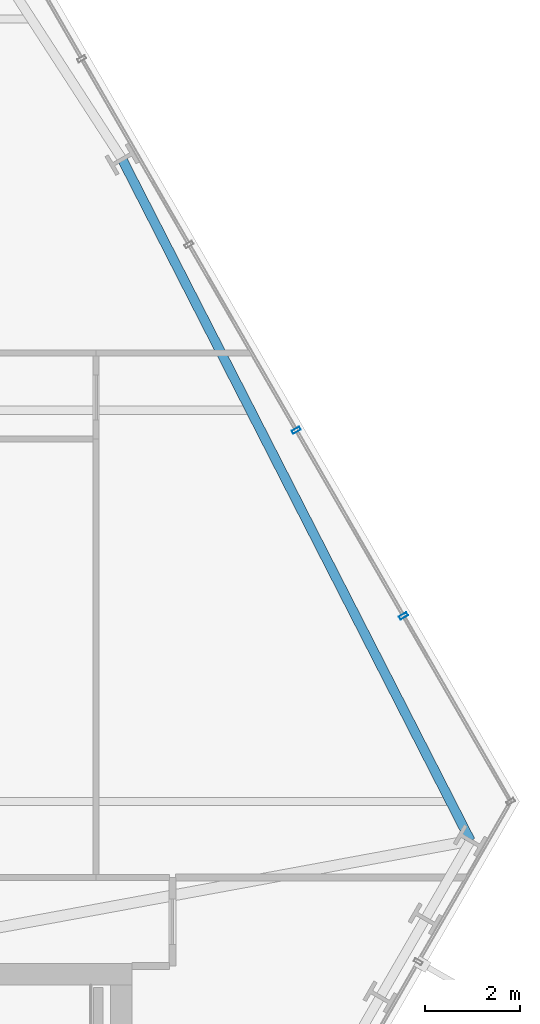
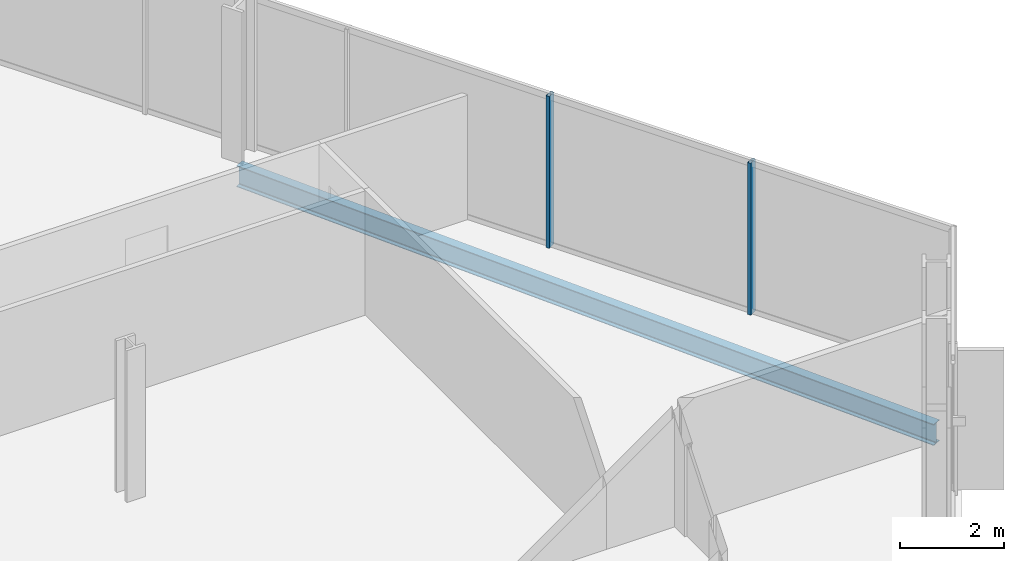
# One storey, part 18 of 32: 2 members, 1 beam, 1 element without a shape of its own.
"""IFC4 building model written with IfcOpenShell, lengths in metres."""

import ifcopenshell
import ifcopenshell.guid

model = None  # the IFC model being written
_history = None  # IfcOwnerHistory: only IFC2X3 demands one
_inside = {}  # id of a spatial element -> (the spatial element, [elements in it])
_under = {}  # id of a project, library or spatial element -> (it, [spatial elements below it])
_declared = {}  # id of a project -> (the project, [libraries it declares])
_typed = {}  # id of a type object -> (the type object, [elements of that type])
_made_of = {}  # id of a material, layer set ... -> (it, [elements and type objects made of it])


def new_model(schema):
    """Start an empty IFC model of exactly this schema.

    Asked for "IFC4X3", IfcOpenShell would pick the latest addendum, in which some entities
    have other attributes; the version numbers below select the first issue.
    IFC2X3 requires an IfcOwnerHistory on every rooted entity: one is made here for all.
    """
    global model, _history
    if schema == "IFC4X3":
        model = ifcopenshell.file(schema_version=(4, 3, 0, 0))
    else:
        model = ifcopenshell.file(schema=schema)
    _inside.clear()
    _under.clear()
    _declared.clear()
    _typed.clear()
    _made_of.clear()
    _history = None
    if model.schema == "IFC2X3":
        org = make("IfcOrganization", Name="unknown")
        user = make(
            "IfcPersonAndOrganization",
            ThePerson=make("IfcPerson", FamilyName="unknown"),
            TheOrganization=org,
        )
        app = make(
            "IfcApplication",
            ApplicationDeveloper=org,
            Version="unknown",
            ApplicationFullName="unknown",
            ApplicationIdentifier="unknown",
        )
        _history = make(
            "IfcOwnerHistory",
            OwningUser=user,
            OwningApplication=app,
            ChangeAction="ADDED",
            CreationDate=0,
        )
    return model


def make(cls, **values):
    """One entity of the class cls with the attributes given. An attribute that is None is left unset."""
    return model.create_entity(
        cls, **{name: value for name, value in values.items() if value is not None}
    )


def rooted(cls, **values):
    """An entity with a GlobalId (a new one), such as an element, a storey or a relation."""
    return make(cls, GlobalId=ifcopenshell.guid.new(), OwnerHistory=_history, **values)


def si_unit(unit_type, name, prefix=None):
    """IfcSIUnit, for example si_unit("LENGTHUNIT", "METRE", prefix="MILLI")."""
    return make("IfcSIUnit", UnitType=unit_type, Prefix=prefix, Name=name)


def assignment(units):
    """IfcUnitAssignment: the units of a project."""
    return None if units is None else make("IfcUnitAssignment", Units=units)


def point(xyz):
    """IfcCartesianPoint."""
    return None if xyz is None else make("IfcCartesianPoint", Coordinates=xyz)


def direction(xyz):
    """IfcDirection."""
    return None if xyz is None else make("IfcDirection", DirectionRatios=xyz)


def frame(location, z_axis=None, x_axis=None):
    """IfcAxis2Placement3D, a coordinate frame: its origin and axes. An axis left out is left unset."""
    return make(
        "IfcAxis2Placement3D",
        Location=point(location),
        Axis=direction(z_axis),
        RefDirection=direction(x_axis),
    )


def frame_2d(location, x_axis=None):
    """IfcAxis2Placement2D, a coordinate frame in the plane: its origin and x axis."""
    return make(
        "IfcAxis2Placement2D", Location=point(location), RefDirection=direction(x_axis)
    )


def origin():
    """The frame at (0, 0, 0) with its axes left unset."""
    return frame((0.0, 0.0, 0.0))


def origin_2d():
    """The frame at (0, 0) in the plane with its x axis left unset."""
    return frame_2d((0.0, 0.0))


def place(relative_to, where):
    """IfcLocalPlacement: puts the frame where relative to a parent placement (None: the world)."""
    return make(
        "IfcLocalPlacement", PlacementRelTo=relative_to, RelativePlacement=where
    )


def context(
    kind, dimensions, precision=None, world=None, true_north=None, identifier=None
):
    """IfcGeometricRepresentationContext, for example the 3D "Model" context."""
    return make(
        "IfcGeometricRepresentationContext",
        ContextIdentifier=identifier,
        ContextType=kind,
        CoordinateSpaceDimension=dimensions,
        Precision=precision,
        WorldCoordinateSystem=world,
        TrueNorth=true_north,
    )


def subcontext(parent, identifier, kind, view, scale=None):
    """IfcGeometricRepresentationSubContext, for example "Body" below "Model"."""
    return make(
        "IfcGeometricRepresentationSubContext",
        ContextIdentifier=identifier,
        ContextType=kind,
        ParentContext=parent,
        TargetScale=scale,
        TargetView=view,
    )


def project(units=None, contexts=None):
    """IfcProject with its units and contexts."""
    return rooted(
        "IfcProject",
        Name="project",
        RepresentationContexts=contexts,
        UnitsInContext=assignment(units),
    )


def spatial(cls, under=None, at=None, **own):
    """A site, building, storey or space (cls), placed at a placement, below another one or the project."""
    s = rooted(cls, ObjectPlacement=at, **own)
    if under is not None:
        _under.setdefault(under.id(), (under, []))[1].append(s)
    return s


def profile(cls, at=None, kind="AREA", **sizes):
    """A parametric profile (cls). Its sizes go by their IFC names, for example OverallWidth=200.0."""
    return make(cls, ProfileType=kind, Position=at, **sizes)


def hollow_rectangle(**sizes):
    """IfcRectangleHollowProfileDef."""
    return profile("IfcRectangleHollowProfileDef", **sizes)


def i_section(**sizes):
    """IfcIShapeProfileDef."""
    return profile("IfcIShapeProfileDef", **sizes)


def extrude(swept, where, along, depth):
    """IfcExtrudedAreaSolid: the profile swept, set in the frame where, extruded along a direction by depth."""
    return make(
        "IfcExtrudedAreaSolid",
        SweptArea=swept,
        Position=where,
        ExtrudedDirection=direction(along),
        Depth=depth,
    )


def shape(context_of_items, identifier, shape_type, items):
    """IfcShapeRepresentation: the items that make up one representation, for example the "Body"."""
    return make(
        "IfcShapeRepresentation",
        ContextOfItems=context_of_items,
        RepresentationIdentifier=identifier,
        RepresentationType=shape_type,
        Items=items,
    )


def material(Name=None, Category=None):
    """IfcMaterial."""
    return make("IfcMaterial", Name=Name, Category=Category)


def layer(
    of_material, thickness, ventilated=None, Name=None, Category=None, Priority=None
):
    """IfcMaterialLayer: one layer of a wall or slab, of a material (None: an air gap)."""
    return make(
        "IfcMaterialLayer",
        Material=of_material,
        LayerThickness=thickness,
        IsVentilated=ventilated,
        Name=Name,
        Category=Category,
        Priority=Priority,
    )


def layer_set(layers, Name=None):
    """IfcMaterialLayerSet."""
    return make("IfcMaterialLayerSet", MaterialLayers=layers, LayerSetName=Name)


def material_profile(
    of_material, cross_section, Name=None, Category=None, Priority=None
):
    """IfcMaterialProfile: a cross section and its material."""
    return make(
        "IfcMaterialProfile",
        Name=Name,
        Material=of_material,
        Profile=cross_section,
        Priority=Priority,
        Category=Category,
    )


def profile_set(profiles, Name=None, composite=None):
    """IfcMaterialProfileSet."""
    return make(
        "IfcMaterialProfileSet",
        Name=Name,
        MaterialProfiles=profiles,
        CompositeProfile=composite,
    )


def made_of(thing, what):
    """Note that an element or type object is made of a material, layer set ...; save() writes the relation."""
    if what is not None:
        _made_of.setdefault(what.id(), (what, []))[1].append(thing)
    return thing


def type_object(cls, material=None, **own):
    """A type object (cls), such as IfcWallType, which elements share."""
    return made_of(rooted(cls, **own), material)


def element(
    cls,
    number,
    at=None,
    inside=None,
    cuts=None,
    type_object=None,
    material=None,
    context=None,
    identifier="Body",
    shape_type=None,
    held_by="IfcProductDefinitionShape",
    body=None,
    shapes=None,
    **own,
):
    """One element of the class cls, such as IfcWall. Its Tag is "e" and its number.

    at: its placement. inside: the storey or other place that contains it. cuts: it is an
    opening in that element (IfcRelVoidsElement). A single representation is given by context,
    identifier, shape_type and body (its items); several are given by shapes. held_by: the class
    of the entity that holds the representations. save() writes the other relations.
    """
    e = rooted(cls, Tag="e%d" % number, ObjectPlacement=at, **own)
    if body is not None:
        shapes = [shape(context, identifier, shape_type, body)]
    if shapes is not None:
        e.Representation = make(held_by, Representations=shapes)
    if inside is not None:
        _inside.setdefault(inside.id(), (inside, []))[1].append(e)
    if cuts is not None:
        rooted(
            "IfcRelVoidsElement", RelatingBuildingElement=cuts, RelatedOpeningElement=e
        )
    if type_object is not None:
        _typed.setdefault(type_object.id(), (type_object, []))[1].append(e)
    return made_of(e, material)


def aggregate(whole, parts):
    """IfcRelAggregates: a whole, such as a stair, and the parts it consists of."""
    return rooted("IfcRelAggregates", RelatingObject=whole, RelatedObjects=parts)


def save(model, path):
    """Write the relations noted so far, then the file.

    IfcRelAggregates (storeys below a building ...), IfcRelContainedInSpatialStructure (elements
    in a storey), IfcRelDefinesByType, IfcRelAssociatesMaterial and IfcRelDeclares: one each for
    every whole, place, type object, material and project.
    """
    for whole, parts in _under.values():
        aggregate(whole, parts)
    for where, things in _inside.values():
        rooted(
            "IfcRelContainedInSpatialStructure",
            RelatedElements=things,
            RelatingStructure=where,
        )
    for kind, things in _typed.values():
        rooted("IfcRelDefinesByType", RelatedObjects=things, RelatingType=kind)
    for what, things in _made_of.values():
        rooted("IfcRelAssociatesMaterial", RelatedObjects=things, RelatingMaterial=what)
    for by, libraries in _declared.values():
        rooted("IfcRelDeclares", RelatingContext=by, RelatedDefinitions=libraries)
    model.write(path)


model = new_model("IFC4")

# Units and contexts
model_context = context("Model", 3, precision=1e-05, world=origin(), true_north=direction((0.0, 1.0)))
body_context = subcontext(model_context, "Body", "Model", "MODEL_VIEW")
ifc_project = project(units=[si_unit("LENGTHUNIT", "METRE"), si_unit("AREAUNIT", "SQUARE_METRE"), si_unit("VOLUMEUNIT", "CUBIC_METRE"), si_unit("PLANEANGLEUNIT", "RADIAN"), si_unit("MASSUNIT", "GRAM", prefix="KILO")], contexts=[model_context])

# Site, building, storey
site_placement = place(None, origin())
site = spatial("IfcSite", under=ifc_project, at=site_placement, CompositionType="ELEMENT")
building_placement = place(site_placement, origin())
building = spatial("IfcBuilding", under=site, at=building_placement, Name="Ndaravel Arena Tower", CompositionType="ELEMENT")
storey_placement = place(building_placement, frame((0.0, 0.0, 62.60009765625)))
storey = spatial("IfcBuildingStorey", under=building, at=storey_placement, Name="L13", CompositionType="ELEMENT", Elevation=62.60009765625)

# Beam
ifc_material_1 = material(Name="Steel S355", Category="steel")
ifc_material_profile_1 = material_profile(ifc_material_1, i_section(OverallWidth=0.199951171875, OverallDepth=0.5, WebThickness=0.01025390625, FlangeThickness=0.01611328125, FilletRadius=0.02099609375, at=origin_2d()), Name="IPE 500")
ifc_profile_set_1 = profile_set([ifc_material_profile_1], Name="Steel S355")
beam_type = type_object("IfcBeamType", Name="BM-SPAN-IPE500", PredefinedType="SPANDREL", material=ifc_profile_set_1)
beam_placement = place(storey_placement, frame((64.6484375, 17.7744140625, -0.47021484375), z_axis=(-0.455114813305, 0.890432763722, 0.0), x_axis=(-0.890432763722, -0.455114813305, 0.0)))
element("IfcBeam", 1, at=beam_placement, inside=storey, type_object=beam_type, Name="L13 Perimeter Spandrel Beam SP-09", PredefinedType="SPANDREL", context=body_context, shape_type="SweptSolid", body=[
    extrude(i_section(OverallWidth=0.199951171875, OverallDepth=0.5, WebThickness=0.01025390625, FlangeThickness=0.01611328125, FilletRadius=0.02099609375, at=origin_2d()), origin(), (0.0, 0.0, 1.0), 16.044189453125),
])

# Curtain wall, members
ifc_material_2 = material(Name="Aluminium", Category="aluminium")
ifc_layer = layer(ifc_material_2, 0.179931640625)
ifc_layer_set = layer_set([ifc_layer], Name="Aluminium")
curtain_wall_type = type_object("IfcCurtainWallType", Name="CW-SYS-03", PredefinedType="NOTDEFINED", material=ifc_layer_set)
curtain_wall_placement = place(storey_placement, origin())
curtain_wall = element("IfcCurtainWall", 2, at=curtain_wall_placement, inside=storey, type_object=curtain_wall_type, Name="L13 Faceted Crystal Curtain Wall CW-L13-E03", PredefinedType="NOTDEFINED")
ifc_material_3 = material(Name="Aluminium", Category="aluminium")
ifc_material_profile_2 = material_profile(ifc_material_3, hollow_rectangle(XDim=0.074951171875, YDim=0.179931640625, WallThickness=0.00390625, at=origin_2d()), Name="CW MULLION 75x180x4")
ifc_profile_set_2 = profile_set([ifc_material_profile_2], Name="Aluminium")
member_type = type_object("IfcMemberType", Name="MEM-CW-MUL180", PredefinedType="MULLION", material=ifc_profile_set_2)
member_1_placement = place(storey_placement, frame((63.2431640625, 22.4873046875, 0.0), z_axis=(0.0, 0.0, 1.0), x_axis=(-0.5, 0.866025403784, 0.0)))
member_1 = element("IfcMember", 3, at=member_1_placement, type_object=member_type, Name="CW-L13-E03 Mullion 01", PredefinedType="MULLION", context=body_context, shape_type="SweptSolid", body=[
    extrude(hollow_rectangle(XDim=0.074951171875, YDim=0.179931640625, WallThickness=0.00390625, at=origin_2d()), origin(), (0.0, 0.0, 1.0), 3.579833984375),
])
member_2_placement = place(storey_placement, frame((60.995361328125, 26.380859375, 0.0), z_axis=(0.0, 0.0, 1.0), x_axis=(-0.5, 0.866025403784, 0.0)))
member_2 = element("IfcMember", 4, at=member_2_placement, type_object=member_type, Name="CW-L13-E03 Mullion 02", PredefinedType="MULLION", context=body_context, shape_type="SweptSolid", body=[
    extrude(hollow_rectangle(XDim=0.074951171875, YDim=0.179931640625, WallThickness=0.00390625, at=origin_2d()), origin(), (0.0, 0.0, 1.0), 3.579833984375),
])
aggregate(curtain_wall, [member_1, member_2])

save(model, "model.ifc")
